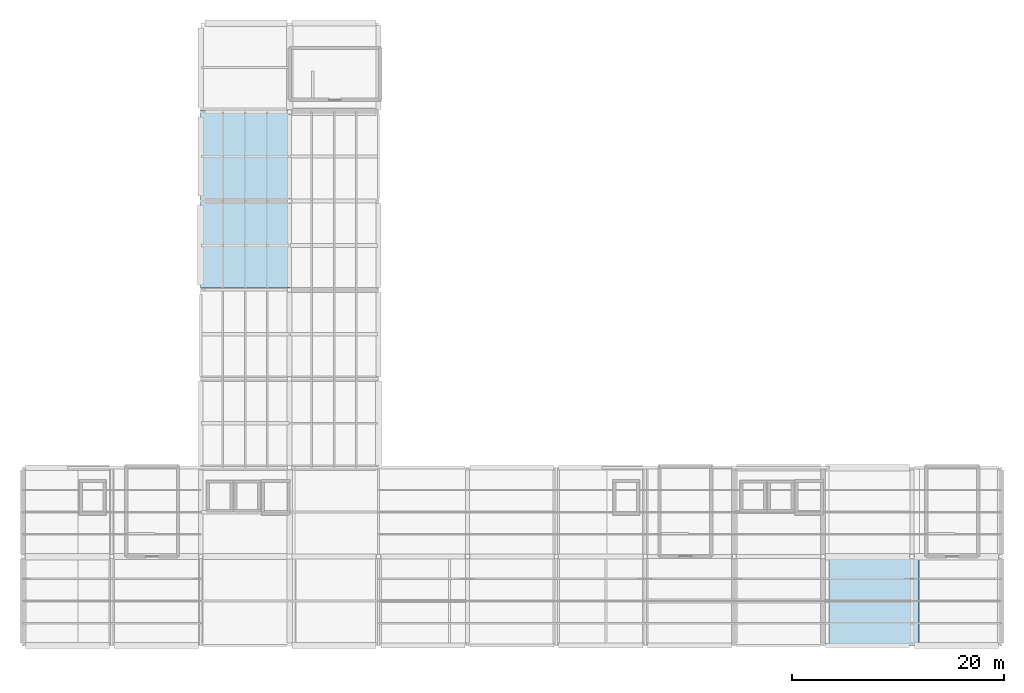
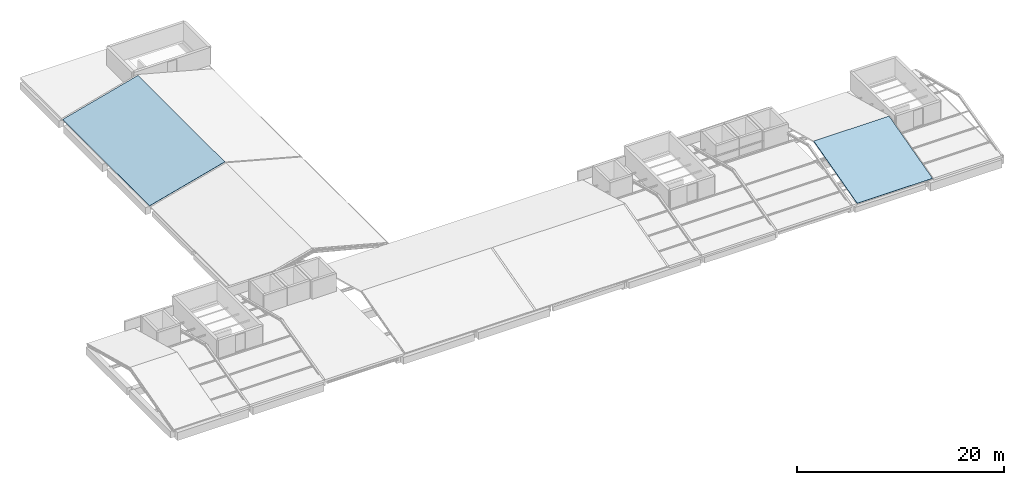
# One storey, part 17 of 17: 2 roofs.
"""IFC4 building model written with IfcOpenShell, lengths in metres."""

import ifcopenshell
import ifcopenshell.guid

model = None  # the IFC model being written
_history = None  # IfcOwnerHistory: only IFC2X3 demands one
_inside = {}  # id of a spatial element -> (the spatial element, [elements in it])
_under = {}  # id of a project, library or spatial element -> (it, [spatial elements below it])
_declared = {}  # id of a project -> (the project, [libraries it declares])
_typed = {}  # id of a type object -> (the type object, [elements of that type])
_made_of = {}  # id of a material, layer set ... -> (it, [elements and type objects made of it])


def new_model(schema):
    """Start an empty IFC model of exactly this schema.

    Asked for "IFC4X3", IfcOpenShell would pick the latest addendum, in which some entities
    have other attributes; the version numbers below select the first issue.
    IFC2X3 requires an IfcOwnerHistory on every rooted entity: one is made here for all.
    """
    global model, _history
    if schema == "IFC4X3":
        model = ifcopenshell.file(schema_version=(4, 3, 0, 0))
    else:
        model = ifcopenshell.file(schema=schema)
    _inside.clear()
    _under.clear()
    _declared.clear()
    _typed.clear()
    _made_of.clear()
    _history = None
    if model.schema == "IFC2X3":
        org = make("IfcOrganization", Name="unknown")
        user = make(
            "IfcPersonAndOrganization",
            ThePerson=make("IfcPerson", FamilyName="unknown"),
            TheOrganization=org,
        )
        app = make(
            "IfcApplication",
            ApplicationDeveloper=org,
            Version="unknown",
            ApplicationFullName="unknown",
            ApplicationIdentifier="unknown",
        )
        _history = make(
            "IfcOwnerHistory",
            OwningUser=user,
            OwningApplication=app,
            ChangeAction="ADDED",
            CreationDate=0,
        )
    return model


def make(cls, **values):
    """One entity of the class cls with the attributes given. An attribute that is None is left unset."""
    return model.create_entity(
        cls, **{name: value for name, value in values.items() if value is not None}
    )


def rooted(cls, **values):
    """An entity with a GlobalId (a new one), such as an element, a storey or a relation."""
    return make(cls, GlobalId=ifcopenshell.guid.new(), OwnerHistory=_history, **values)


def si_unit(unit_type, name, prefix=None):
    """IfcSIUnit, for example si_unit("LENGTHUNIT", "METRE", prefix="MILLI")."""
    return make("IfcSIUnit", UnitType=unit_type, Prefix=prefix, Name=name)


def derived_unit(unit_type, elements):
    """IfcDerivedUnit: a product of units, each with its exponent."""
    return make(
        "IfcDerivedUnit",
        Elements=[
            make("IfcDerivedUnitElement", Unit=unit, Exponent=power)
            for unit, power in elements
        ],
        UnitType=unit_type,
    )


def assignment(units):
    """IfcUnitAssignment: the units of a project."""
    return None if units is None else make("IfcUnitAssignment", Units=units)


def point(xyz):
    """IfcCartesianPoint."""
    return None if xyz is None else make("IfcCartesianPoint", Coordinates=xyz)


def direction(xyz):
    """IfcDirection."""
    return None if xyz is None else make("IfcDirection", DirectionRatios=xyz)


def frame(location, z_axis=None, x_axis=None):
    """IfcAxis2Placement3D, a coordinate frame: its origin and axes. An axis left out is left unset."""
    return make(
        "IfcAxis2Placement3D",
        Location=point(location),
        Axis=direction(z_axis),
        RefDirection=direction(x_axis),
    )


def origin():
    """The frame at (0, 0, 0) with its axes left unset."""
    return frame((0.0, 0.0, 0.0))


def place(relative_to, where):
    """IfcLocalPlacement: puts the frame where relative to a parent placement (None: the world)."""
    return make(
        "IfcLocalPlacement", PlacementRelTo=relative_to, RelativePlacement=where
    )


def context(
    kind, dimensions, precision=None, world=None, true_north=None, identifier=None
):
    """IfcGeometricRepresentationContext, for example the 3D "Model" context."""
    return make(
        "IfcGeometricRepresentationContext",
        ContextIdentifier=identifier,
        ContextType=kind,
        CoordinateSpaceDimension=dimensions,
        Precision=precision,
        WorldCoordinateSystem=world,
        TrueNorth=true_north,
    )


def subcontext(parent, identifier, kind, view, scale=None):
    """IfcGeometricRepresentationSubContext, for example "Body" below "Model"."""
    return make(
        "IfcGeometricRepresentationSubContext",
        ContextIdentifier=identifier,
        ContextType=kind,
        ParentContext=parent,
        TargetScale=scale,
        TargetView=view,
    )


def project(units=None, contexts=None):
    """IfcProject with its units and contexts."""
    return rooted(
        "IfcProject",
        Name="project",
        RepresentationContexts=contexts,
        UnitsInContext=assignment(units),
    )


def spatial(cls, under=None, at=None, **own):
    """A site, building, storey or space (cls), placed at a placement, below another one or the project."""
    s = rooted(cls, ObjectPlacement=at, **own)
    if under is not None:
        _under.setdefault(under.id(), (under, []))[1].append(s)
    return s


def polyline(points):
    """IfcPolyline through the points."""
    return make("IfcPolyline", Points=[point(p) for p in points])


def outline(outer, holes=None, kind="AREA"):
    """IfcArbitraryClosedProfileDef: a profile drawn as a closed curve; with holes, ...WithVoids."""
    if holes is None:
        return make("IfcArbitraryClosedProfileDef", ProfileType=kind, OuterCurve=outer)
    return make(
        "IfcArbitraryProfileDefWithVoids",
        ProfileType=kind,
        OuterCurve=outer,
        InnerCurves=holes,
    )


def extrude(swept, where, along, depth):
    """IfcExtrudedAreaSolid: the profile swept, set in the frame where, extruded along a direction by depth."""
    return make(
        "IfcExtrudedAreaSolid",
        SweptArea=swept,
        Position=where,
        ExtrudedDirection=direction(along),
        Depth=depth,
    )


def shape(context_of_items, identifier, shape_type, items):
    """IfcShapeRepresentation: the items that make up one representation, for example the "Body"."""
    return make(
        "IfcShapeRepresentation",
        ContextOfItems=context_of_items,
        RepresentationIdentifier=identifier,
        RepresentationType=shape_type,
        Items=items,
    )


def material(Name=None, Category=None):
    """IfcMaterial."""
    return make("IfcMaterial", Name=Name, Category=Category)


def layer(
    of_material, thickness, ventilated=None, Name=None, Category=None, Priority=None
):
    """IfcMaterialLayer: one layer of a wall or slab, of a material (None: an air gap)."""
    return make(
        "IfcMaterialLayer",
        Material=of_material,
        LayerThickness=thickness,
        IsVentilated=ventilated,
        Name=Name,
        Category=Category,
        Priority=Priority,
    )


def layer_set(layers, Name=None):
    """IfcMaterialLayerSet."""
    return make("IfcMaterialLayerSet", MaterialLayers=layers, LayerSetName=Name)


def made_of(thing, what):
    """Note that an element or type object is made of a material, layer set ...; save() writes the relation."""
    if what is not None:
        _made_of.setdefault(what.id(), (what, []))[1].append(thing)
    return thing


def type_object(cls, material=None, **own):
    """A type object (cls), such as IfcWallType, which elements share."""
    return made_of(rooted(cls, **own), material)


def element(
    cls,
    number,
    at=None,
    inside=None,
    cuts=None,
    type_object=None,
    material=None,
    context=None,
    identifier="Body",
    shape_type=None,
    held_by="IfcProductDefinitionShape",
    body=None,
    shapes=None,
    **own,
):
    """One element of the class cls, such as IfcWall. Its Tag is "e" and its number.

    at: its placement. inside: the storey or other place that contains it. cuts: it is an
    opening in that element (IfcRelVoidsElement). A single representation is given by context,
    identifier, shape_type and body (its items); several are given by shapes. held_by: the class
    of the entity that holds the representations. save() writes the other relations.
    """
    e = rooted(cls, Tag="e%d" % number, ObjectPlacement=at, **own)
    if body is not None:
        shapes = [shape(context, identifier, shape_type, body)]
    if shapes is not None:
        e.Representation = make(held_by, Representations=shapes)
    if inside is not None:
        _inside.setdefault(inside.id(), (inside, []))[1].append(e)
    if cuts is not None:
        rooted(
            "IfcRelVoidsElement", RelatingBuildingElement=cuts, RelatedOpeningElement=e
        )
    if type_object is not None:
        _typed.setdefault(type_object.id(), (type_object, []))[1].append(e)
    return made_of(e, material)


def aggregate(whole, parts):
    """IfcRelAggregates: a whole, such as a stair, and the parts it consists of."""
    return rooted("IfcRelAggregates", RelatingObject=whole, RelatedObjects=parts)


def save(model, path):
    """Write the relations noted so far, then the file.

    IfcRelAggregates (storeys below a building ...), IfcRelContainedInSpatialStructure (elements
    in a storey), IfcRelDefinesByType, IfcRelAssociatesMaterial and IfcRelDeclares: one each for
    every whole, place, type object, material and project.
    """
    for whole, parts in _under.values():
        aggregate(whole, parts)
    for where, things in _inside.values():
        rooted(
            "IfcRelContainedInSpatialStructure",
            RelatedElements=things,
            RelatingStructure=where,
        )
    for kind, things in _typed.values():
        rooted("IfcRelDefinesByType", RelatedObjects=things, RelatingType=kind)
    for what, things in _made_of.values():
        rooted("IfcRelAssociatesMaterial", RelatedObjects=things, RelatingMaterial=what)
    for by, libraries in _declared.values():
        rooted("IfcRelDeclares", RelatingContext=by, RelatedDefinitions=libraries)
    model.write(path)


model = new_model("IFC4")

# Units and contexts
model_context = context("Model", 3, precision=1e-05, world=origin(), true_north=direction((0.0, 1.0)))
body_context = subcontext(model_context, "Body", "Model", "MODEL_VIEW")
ifc_project = project(units=[si_unit("LENGTHUNIT", "METRE"), si_unit("AREAUNIT", "SQUARE_METRE"), si_unit("VOLUMEUNIT", "CUBIC_METRE"), si_unit("PLANEANGLEUNIT", "RADIAN"), si_unit("MASSUNIT", "GRAM", prefix="KILO"), derived_unit("THERMALTRANSMITTANCEUNIT", [(si_unit("POWERUNIT", "WATT"), 1), (si_unit("LENGTHUNIT", "METRE"), -2), (si_unit("THERMODYNAMICTEMPERATUREUNIT", "KELVIN"), -1)])], contexts=[model_context])

# Site, building, storey
site_placement = place(None, origin())
site = spatial("IfcSite", under=ifc_project, at=site_placement, CompositionType="ELEMENT")
building_placement = place(site_placement, origin())
building = spatial("IfcBuilding", under=site, at=building_placement, Name="Barrovel Congress Hotel", CompositionType="ELEMENT")
storey_placement = place(building_placement, frame((0.0, 0.0, 47.10009765625)))
storey = spatial("IfcBuildingStorey", under=building, at=storey_placement, Name="RF", CompositionType="ELEMENT", Elevation=47.10009765625)

# Roofs
ifc_material = material(Name="Concrete C35", Category="concrete")
ifc_layer_1 = layer(ifc_material, 0.159912109375)
ifc_layer_set_1 = layer_set([ifc_layer_1], Name="Concrete C35")
roof_type_1 = type_object("IfcRoofType", Name="ROOF-GABLE", PredefinedType="GABLE_ROOF", material=ifc_layer_set_1)
roof_1_placement = place(storey_placement, frame((93.0, 4.199951171875, 0.02001953125), z_axis=(0.0, -0.258810457345, 0.965928127331), x_axis=(1.0, 0.0, 0.0)))
element("IfcRoof", 1, at=roof_1_placement, inside=storey, type_object=roof_type_1, Name="Hotel Attic Gable Roof 4", PredefinedType="GABLE_ROOF", context=body_context, shape_type="SweptSolid", body=[
    extrude(outline(polyline([(0.0, 0.0), (8.39990234375, 0.0), (8.39990234375, 8.696450850423808), (0.0, 8.696450850423808), (0.0, 0.0)])), origin(), (0.0, 0.0, -1.0), 0.06005859375),
])
ifc_layer_2 = layer(ifc_material, 0.159912109375)
ifc_layer_set_2 = layer_set([ifc_layer_2], Name="Concrete C35")
roof_type_2 = type_object("IfcRoofType", Name="ROOF-HIP", PredefinedType="HIP_ROOF", material=ifc_layer_set_2)
roof_2_placement = place(storey_placement, frame((33.60009765625, 38.0, 0.02001953125), z_axis=(-0.258817475711, 0.0, 0.965926246805), x_axis=(0.965926246805, 0.0, 0.258817475711)))
element("IfcRoof", 2, at=roof_2_placement, inside=storey, type_object=roof_type_2, Name="West Attic Hipped Roof 4", PredefinedType="HIP_ROOF", context=body_context, shape_type="SweptSolid", body=[
    extrude(outline(polyline([(0.0, 0.0), (8.69621502835665, 0.0), (8.69621502835665, 16.800048828125), (0.0, 16.800048828125), (0.0, 0.0)])), origin(), (0.0, 0.0, -1.0), 0.06005859375),
])

save(model, "model.ifc")
